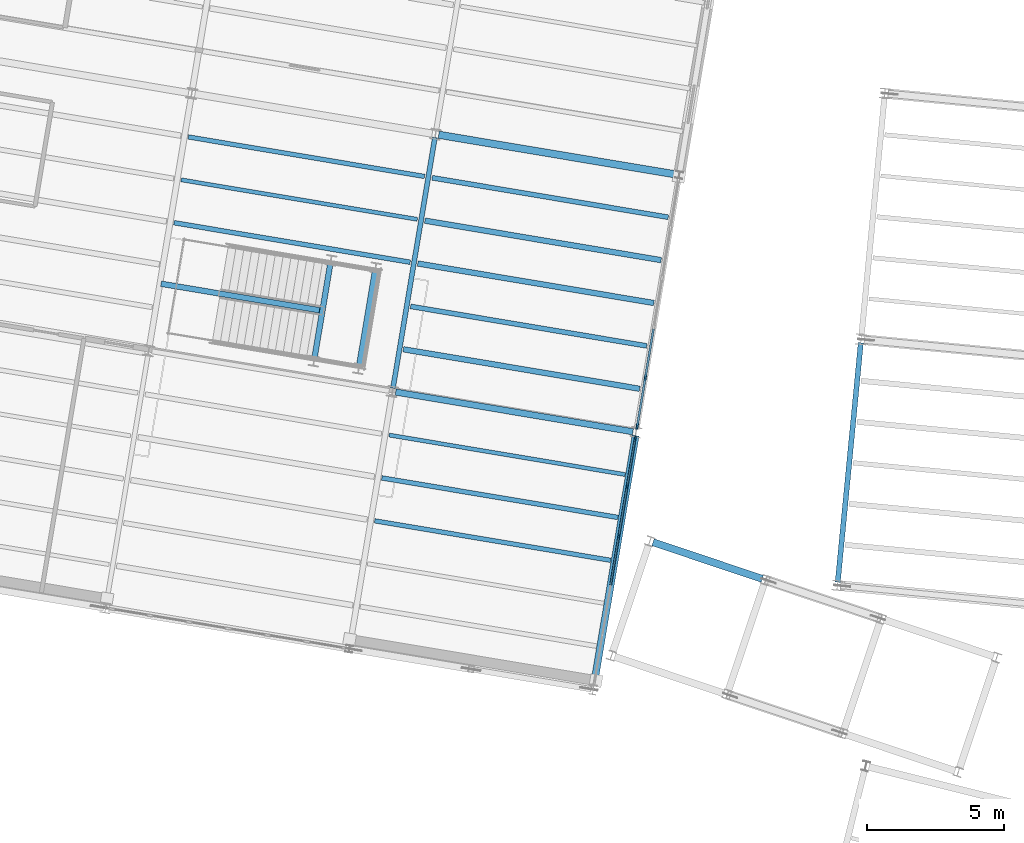
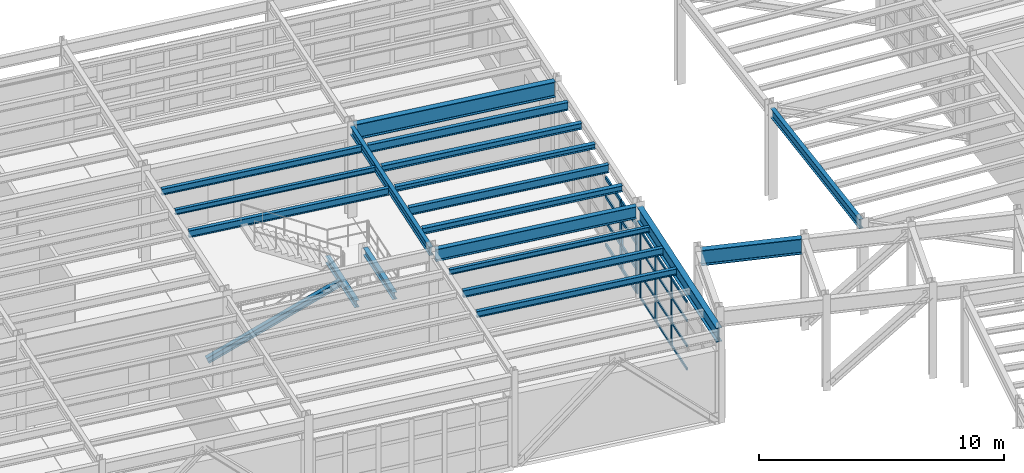
# One storey, part 44 of 109: 26 members, 19 beams, 2 elements without a shape of their own.
"""IFC4 building model written with IfcOpenShell, lengths in metres."""

from ifc_helpers import new_model, si_unit, direction, frame, origin, origin_2d, place, context, subcontext, project, spatial, rectangle, i_section, extrude, material, layer, layer_set, material_profile, profile_set, type_object, element, aggregate, save


model = new_model("IFC4")

# Units and contexts
model_context = context("Model", 3, precision=1e-05, world=origin(), true_north=direction((0.0, 1.0)))
body_context = subcontext(model_context, "Body", "Model", "MODEL_VIEW")
ifc_project = project(units=[si_unit("LENGTHUNIT", "METRE"), si_unit("AREAUNIT", "SQUARE_METRE"), si_unit("VOLUMEUNIT", "CUBIC_METRE"), si_unit("PLANEANGLEUNIT", "RADIAN"), si_unit("MASSUNIT", "GRAM", prefix="KILO")], contexts=[model_context])

# Site, building, storey
site_placement = place(None, origin())
site = spatial("IfcSite", under=ifc_project, at=site_placement, CompositionType="ELEMENT")
building_placement = place(site_placement, origin())
building = spatial("IfcBuilding", under=site, at=building_placement, Name="Vireo Bluff Cable Station", CompositionType="ELEMENT")
storey_placement = place(building_placement, frame((0.0, 0.0, 4.800048828125)))
storey = spatial("IfcBuildingStorey", under=building, at=storey_placement, Name="L01", CompositionType="ELEMENT", Elevation=4.800048828125)

# Beams
ifc_material_1 = material(Name="Steel ASTM A992 Gr. 50", Category="steel")
ifc_material_profile_1 = material_profile(ifc_material_1, i_section(OverallWidth=0.2041015625, OverallDepth=0.35009765625, WebThickness=0.008544921875, FlangeThickness=0.01513671875, FilletRadius=0.010009765625, at=origin_2d()), Name="W14X48")
ifc_profile_set_1 = profile_set([ifc_material_profile_1], Name="Steel ASTM A992 Gr. 50")
beam_type_1 = type_object("IfcBeamType", Name="BM-W14X48", PredefinedType="BEAM", material=ifc_profile_set_1)
for number, where, z_axis, x_axis, name in (
    (1, (39.74072265625, 76.172607421875, 2.02490234375), (0.165077965805, 0.986280520545, 0.0), (-0.986280520545, 0.165077965805, 0.0), "ST-08 L01 landing header beam N"),
    (2, (41.3681640625, 75.900390625, 2.02490234375), (0.165077965805, 0.986280520545, 0.0), (-0.986280520545, 0.165077965805, 0.0), "ST-08 L01 landing header beam F"),
):
    element("IfcBeam", number, at=place(storey_placement, frame(where, z_axis=z_axis, x_axis=x_axis)), inside=storey, type_object=beam_type_1, Name=name, PredefinedType="BEAM", context=body_context, shape_type="SweptSolid", body=[
        extrude(i_section(OverallWidth=0.2041015625, OverallDepth=0.35009765625, WebThickness=0.008544921875, FlangeThickness=0.01513671875, FilletRadius=0.010009765625, at=origin_2d()), origin(), (0.0, 0.0, 1.0), 3.43994140625),
    ])
ifc_material_profile_2 = material_profile(ifc_material_1, i_section(OverallWidth=0.178955078125, OverallDepth=0.408935546875, WebThickness=0.0087890625, FlangeThickness=0.014404296875, FilletRadius=0.010009765625, at=origin_2d()), Name="W16X45")
ifc_profile_set_2 = profile_set([ifc_material_profile_2], Name="Steel ASTM A992 Gr. 50")
beam_type_2 = type_object("IfcBeamType", Name="BM-W16X45", PredefinedType="BEAM", material=ifc_profile_set_2)
beam_1_placement = place(storey_placement, frame((42.593994140625, 75.04638671875, 4.33544921875), z_axis=(0.165044536891, 0.986286115102, 0.0), x_axis=(-0.986286115102, 0.165044536891, 0.0)))
element("IfcBeam", 3, at=beam_1_placement, inside=storey, type_object=beam_type_2, Name="V4 L01 beam 905", PredefinedType="BEAM", context=body_context, shape_type="SweptSolid", body=[
    extrude(i_section(OverallWidth=0.178955078125, OverallDepth=0.408935546875, WebThickness=0.0087890625, FlangeThickness=0.014404296875, FilletRadius=0.010009765625, at=origin_2d()), origin(), (0.0, 0.0, 1.0), 9.260009765625),
])

# Curtain wall, members
ifc_material_2 = material(Name="Anodized Aluminium 6063-T6", Category="aluminium")
ifc_layer_1 = layer(ifc_material_2, 0.159912109375, Name="Anodized Aluminium 6063-T6")
ifc_layer_set_1 = layer_set([ifc_layer_1], Name="Anodized Aluminium 6063-T6")
curtain_wall_type_1 = type_object("IfcCurtainWallType", Name="CW-STICK-1850", PredefinedType="USERDEFINED", material=ifc_layer_set_1)
curtain_wall_1_placement = place(storey_placement, origin())
curtain_wall_1 = element("IfcCurtainWall", 4, at=curtain_wall_1_placement, inside=storey, type_object=curtain_wall_type_1, Name="V4 L01 east curtain wall CW-093", ObjectType="STICK CURTAIN WALL", PredefinedType="USERDEFINED")
ifc_material_profile_3 = material_profile(ifc_material_2, rectangle(XDim=0.074951171875, YDim=0.2099609375, at=origin_2d()), Name="ALU-M-75X210")
ifc_profile_set_3 = profile_set([ifc_material_profile_3], Name="Anodized Aluminium 6063-T6")
member_type_1 = type_object("IfcMemberType", Name="CWM-02", PredefinedType="MULLION", material=ifc_profile_set_3)
member_1_placement = place(storey_placement, frame((51.7841796875, 75.4345703125, 0.0), z_axis=(0.0, 0.0, 1.0), x_axis=(0.986285608353, -0.165047565133, 0.0)))
member_1 = element("IfcMember", 5, at=member_1_placement, type_object=member_type_1, Name="CW-093 mullion 5", PredefinedType="MULLION", context=body_context, shape_type="SweptSolid", body=[
    extrude(rectangle(XDim=0.074951171875, YDim=0.2099609375, at=origin_2d()), origin(), (0.0, 0.0, 1.0), 3.39990234375),
])
member_2_placement = place(storey_placement, frame((51.487060546875, 73.6591796875, 0.0), z_axis=(0.0, 0.0, 1.0), x_axis=(0.986285608353, -0.165047565133, 0.0)))
member_2 = element("IfcMember", 6, at=member_2_placement, type_object=member_type_1, Name="CW-093 mullion 6", PredefinedType="MULLION", context=body_context, shape_type="SweptSolid", body=[
    extrude(rectangle(XDim=0.074951171875, YDim=0.2099609375, at=origin_2d()), origin(), (0.0, 0.0, 1.0), 3.39990234375),
])

ifc_layer_2 = layer(ifc_material_2, 0.159912109375, Name="Anodized Aluminium 6063-T6")
ifc_layer_set_2 = layer_set([ifc_layer_2], Name="Anodized Aluminium 6063-T6")
curtain_wall_type_2 = type_object("IfcCurtainWallType", Name="CW-STICK-1750", PredefinedType="USERDEFINED", material=ifc_layer_set_2)
curtain_wall_2_placement = place(storey_placement, origin())
curtain_wall_2 = element("IfcCurtainWall", 7, at=curtain_wall_2_placement, inside=storey, type_object=curtain_wall_type_2, Name="V4 L01 east curtain wall CW-094", ObjectType="STICK CURTAIN WALL", PredefinedType="USERDEFINED")
ifc_material_profile_4 = material_profile(ifc_material_2, rectangle(XDim=0.06005859375, YDim=0.159912109375, at=origin_2d()), Name="ALU-M-60X160")
ifc_profile_set_4 = profile_set([ifc_material_profile_4], Name="Anodized Aluminium 6063-T6")
member_type_2 = type_object("IfcMemberType", Name="CWM-03", PredefinedType="MULLION", material=ifc_profile_set_4)
member_3_placement = place(storey_placement, frame((51.415771484375, 73.2333984375, 0.0), z_axis=(0.0, 0.0, 1.0), x_axis=(0.986285590571, -0.165047671394, 0.0)))
member_3 = element("IfcMember", 8, at=member_3_placement, type_object=member_type_2, Name="CW-094 mullion 1", PredefinedType="MULLION", context=body_context, shape_type="SweptSolid", body=[
    extrude(rectangle(XDim=0.06005859375, YDim=0.159912109375, at=origin_2d()), origin(), (0.0, 0.0, 1.0), 3.39990234375),
])
member_4_placement = place(storey_placement, frame((51.119140625, 71.461181640625, 0.0), z_axis=(0.0, 0.0, 1.0), x_axis=(0.986285590571, -0.165047671394, 0.0)))
member_4 = element("IfcMember", 9, at=member_4_placement, type_object=member_type_2, Name="CW-094 mullion 2", PredefinedType="MULLION", context=body_context, shape_type="SweptSolid", body=[
    extrude(rectangle(XDim=0.06005859375, YDim=0.159912109375, at=origin_2d()), origin(), (0.0, 0.0, 1.0), 3.39990234375),
])
member_5_placement = place(storey_placement, frame((50.817626953125, 69.659423828125, 0.0), z_axis=(0.0, 0.0, 1.0), x_axis=(0.986285590571, -0.165047671394, 0.0)))
member_5 = element("IfcMember", 10, at=member_5_placement, type_object=member_type_2, Name="CW-094 mullion 3", PredefinedType="MULLION", context=body_context, shape_type="SweptSolid", body=[
    extrude(rectangle(XDim=0.06005859375, YDim=0.159912109375, at=origin_2d()), origin(), (0.0, 0.0, 1.0), 3.39990234375),
])

# Member
ifc_material_profile_5 = material_profile(ifc_material_2, rectangle(XDim=0.074951171875, YDim=0.159912109375, at=origin_2d()), Name="ALU-T-75X160")
ifc_profile_set_5 = profile_set([ifc_material_profile_5], Name="Anodized Aluminium 6063-T6")
member_type_3 = type_object("IfcMemberType", Name="CWT-02", PredefinedType="USERDEFINED", material=ifc_profile_set_5)
member_6_placement = place(storey_placement, frame((52.081298828125, 77.2099609375, 0.037353515625), z_axis=(-0.165095203102, -0.98627763531, 0.0), x_axis=(0.98627763531, -0.165095203102, 0.0)))
member_6 = element("IfcMember", 11, at=member_6_placement, type_object=member_type_3, Name="CW-093 transom 4.1", ObjectType="TRANSOM", PredefinedType="USERDEFINED", context=body_context, shape_type="SweptSolid", body=[
    extrude(rectangle(XDim=0.074951171875, YDim=0.159912109375, at=origin_2d()), origin(), (0.0, 0.0, 1.0), 1.7626953125),
])

member_7_placement = place(storey_placement, frame((52.081298828125, 77.2099609375, 1.18994140625), z_axis=(-0.165095203102, -0.98627763531, 0.0), x_axis=(0.98627763531, -0.165095203102, 0.0)))
member_7 = element("IfcMember", 12, at=member_7_placement, type_object=member_type_3, Name="CW-093 transom 4.2", ObjectType="TRANSOM", PredefinedType="USERDEFINED", context=body_context, shape_type="SweptSolid", body=[
    extrude(rectangle(XDim=0.074951171875, YDim=0.159912109375, at=origin_2d()), origin(), (0.0, 0.0, 1.0), 1.7626953125),
])

member_8_placement = place(storey_placement, frame((52.081298828125, 77.2099609375, 2.447998046875), z_axis=(-0.165095203102, -0.98627763531, 0.0), x_axis=(0.98627763531, -0.165095203102, 0.0)))
member_8 = element("IfcMember", 13, at=member_8_placement, type_object=member_type_3, Name="CW-093 transom 4.3", ObjectType="TRANSOM", PredefinedType="USERDEFINED", context=body_context, shape_type="SweptSolid", body=[
    extrude(rectangle(XDim=0.074951171875, YDim=0.159912109375, at=origin_2d()), origin(), (0.0, 0.0, 1.0), 1.7626953125),
])

member_9_placement = place(storey_placement, frame((52.081298828125, 77.2099609375, 3.362548828125), z_axis=(-0.165095203102, -0.98627763531, 0.0), x_axis=(0.98627763531, -0.165095203102, 0.0)))
member_9 = element("IfcMember", 14, at=member_9_placement, type_object=member_type_3, Name="CW-093 transom 4.4", ObjectType="TRANSOM", PredefinedType="USERDEFINED", context=body_context, shape_type="SweptSolid", body=[
    extrude(rectangle(XDim=0.074951171875, YDim=0.159912109375, at=origin_2d()), origin(), (0.0, 0.0, 1.0), 1.7626953125),
])

member_10_placement = place(storey_placement, frame((51.77783203125, 75.3974609375, 0.037353515625), z_axis=(-0.165018606581, -0.986290453914, 0.0), x_axis=(0.986290453914, -0.165018606581, 0.0)))
member_10 = element("IfcMember", 15, at=member_10_placement, type_object=member_type_3, Name="CW-093 transom 5.1", ObjectType="TRANSOM", PredefinedType="USERDEFINED", context=body_context, shape_type="SweptSolid", body=[
    extrude(rectangle(XDim=0.074951171875, YDim=0.159912109375, at=origin_2d()), origin(), (0.0, 0.0, 1.0), 1.72509765625),
])

member_11_placement = place(storey_placement, frame((51.77783203125, 75.3974609375, 1.18994140625), z_axis=(-0.165018606581, -0.986290453914, 0.0), x_axis=(0.986290453914, -0.165018606581, 0.0)))
member_11 = element("IfcMember", 16, at=member_11_placement, type_object=member_type_3, Name="CW-093 transom 5.2", ObjectType="TRANSOM", PredefinedType="USERDEFINED", context=body_context, shape_type="SweptSolid", body=[
    extrude(rectangle(XDim=0.074951171875, YDim=0.159912109375, at=origin_2d()), origin(), (0.0, 0.0, 1.0), 1.72509765625),
])

member_12_placement = place(storey_placement, frame((51.77783203125, 75.3974609375, 2.447998046875), z_axis=(-0.165018606581, -0.986290453914, 0.0), x_axis=(0.986290453914, -0.165018606581, 0.0)))
member_12 = element("IfcMember", 17, at=member_12_placement, type_object=member_type_3, Name="CW-093 transom 5.3", ObjectType="TRANSOM", PredefinedType="USERDEFINED", context=body_context, shape_type="SweptSolid", body=[
    extrude(rectangle(XDim=0.074951171875, YDim=0.159912109375, at=origin_2d()), origin(), (0.0, 0.0, 1.0), 1.72509765625),
])

member_13_placement = place(storey_placement, frame((51.77783203125, 75.3974609375, 3.362548828125), z_axis=(-0.165018606581, -0.986290453914, 0.0), x_axis=(0.986290453914, -0.165018606581, 0.0)))
member_13 = element("IfcMember", 18, at=member_13_placement, type_object=member_type_3, Name="CW-093 transom 5.4", ObjectType="TRANSOM", PredefinedType="USERDEFINED", context=body_context, shape_type="SweptSolid", body=[
    extrude(rectangle(XDim=0.074951171875, YDim=0.159912109375, at=origin_2d()), origin(), (0.0, 0.0, 1.0), 1.72509765625),
])

aggregate(curtain_wall_1, [member_1, member_2, member_6, member_7, member_8, member_9, member_10, member_11, member_12, member_13])

ifc_material_profile_6 = material_profile(ifc_material_2, rectangle(XDim=0.06005859375, YDim=0.1201171875, at=origin_2d()), Name="ALU-T-60X120")
ifc_profile_set_6 = profile_set([ifc_material_profile_6], Name="Anodized Aluminium 6063-T6")
member_type_4 = type_object("IfcMemberType", Name="CWT-03", PredefinedType="USERDEFINED", material=ifc_profile_set_6)
member_14_placement = place(storey_placement, frame((51.410888671875, 73.203857421875, 0.030029296875), z_axis=(-0.16501436872, -0.986291162951, 0.0), x_axis=(0.986291162951, -0.16501436872, 0.0)))
member_14 = element("IfcMember", 19, at=member_14_placement, type_object=member_type_4, Name="CW-094 transom 1.1", ObjectType="TRANSOM", PredefinedType="USERDEFINED", context=body_context, shape_type="SweptSolid", body=[
    extrude(rectangle(XDim=0.06005859375, YDim=0.1201171875, at=origin_2d()), origin(), (0.0, 0.0, 1.0), 1.737060546875),
])

member_15_placement = place(storey_placement, frame((51.410888671875, 73.203857421875, 1.18994140625), z_axis=(-0.16501436872, -0.986291162951, 0.0), x_axis=(0.986291162951, -0.16501436872, 0.0)))
member_15 = element("IfcMember", 20, at=member_15_placement, type_object=member_type_4, Name="CW-094 transom 1.2", ObjectType="TRANSOM", PredefinedType="USERDEFINED", context=body_context, shape_type="SweptSolid", body=[
    extrude(rectangle(XDim=0.06005859375, YDim=0.1201171875, at=origin_2d()), origin(), (0.0, 0.0, 1.0), 1.737060546875),
])

member_16_placement = place(storey_placement, frame((51.410888671875, 73.203857421875, 2.447998046875), z_axis=(-0.16501436872, -0.986291162951, 0.0), x_axis=(0.986291162951, -0.16501436872, 0.0)))
member_16 = element("IfcMember", 21, at=member_16_placement, type_object=member_type_4, Name="CW-094 transom 1.3", ObjectType="TRANSOM", PredefinedType="USERDEFINED", context=body_context, shape_type="SweptSolid", body=[
    extrude(rectangle(XDim=0.06005859375, YDim=0.1201171875, at=origin_2d()), origin(), (0.0, 0.0, 1.0), 1.737060546875),
])

member_17_placement = place(storey_placement, frame((51.410888671875, 73.203857421875, 3.369873046875), z_axis=(-0.16501436872, -0.986291162951, 0.0), x_axis=(0.986291162951, -0.16501436872, 0.0)))
member_17 = element("IfcMember", 22, at=member_17_placement, type_object=member_type_4, Name="CW-094 transom 1.4", ObjectType="TRANSOM", PredefinedType="USERDEFINED", context=body_context, shape_type="SweptSolid", body=[
    extrude(rectangle(XDim=0.06005859375, YDim=0.1201171875, at=origin_2d()), origin(), (0.0, 0.0, 1.0), 1.737060546875),
])

member_18_placement = place(storey_placement, frame((51.1142578125, 71.431640625, 0.030029296875), z_axis=(-0.164981536378, -0.986296655502, 0.0), x_axis=(0.986296655502, -0.164981536378, 0.0)))
member_18 = element("IfcMember", 23, at=member_18_placement, type_object=member_type_4, Name="CW-094 transom 2.1", ObjectType="TRANSOM", PredefinedType="USERDEFINED", context=body_context, shape_type="SweptSolid", body=[
    extrude(rectangle(XDim=0.06005859375, YDim=0.1201171875, at=origin_2d()), origin(), (0.0, 0.0, 1.0), 1.766845703125),
])

member_19_placement = place(storey_placement, frame((51.1142578125, 71.431640625, 1.18994140625), z_axis=(-0.164981536378, -0.986296655502, 0.0), x_axis=(0.986296655502, -0.164981536378, 0.0)))
member_19 = element("IfcMember", 24, at=member_19_placement, type_object=member_type_4, Name="CW-094 transom 2.2", ObjectType="TRANSOM", PredefinedType="USERDEFINED", context=body_context, shape_type="SweptSolid", body=[
    extrude(rectangle(XDim=0.06005859375, YDim=0.1201171875, at=origin_2d()), origin(), (0.0, 0.0, 1.0), 1.766845703125),
])

member_20_placement = place(storey_placement, frame((51.1142578125, 71.431640625, 2.447998046875), z_axis=(-0.164981536378, -0.986296655502, 0.0), x_axis=(0.986296655502, -0.164981536378, 0.0)))
member_20 = element("IfcMember", 25, at=member_20_placement, type_object=member_type_4, Name="CW-094 transom 2.3", ObjectType="TRANSOM", PredefinedType="USERDEFINED", context=body_context, shape_type="SweptSolid", body=[
    extrude(rectangle(XDim=0.06005859375, YDim=0.1201171875, at=origin_2d()), origin(), (0.0, 0.0, 1.0), 1.766845703125),
])

member_21_placement = place(storey_placement, frame((51.1142578125, 71.431640625, 3.369873046875), z_axis=(-0.164981536378, -0.986296655502, 0.0), x_axis=(0.986296655502, -0.164981536378, 0.0)))
member_21 = element("IfcMember", 26, at=member_21_placement, type_object=member_type_4, Name="CW-094 transom 2.4", ObjectType="TRANSOM", PredefinedType="USERDEFINED", context=body_context, shape_type="SweptSolid", body=[
    extrude(rectangle(XDim=0.06005859375, YDim=0.1201171875, at=origin_2d()), origin(), (0.0, 0.0, 1.0), 1.766845703125),
])

member_22_placement = place(storey_placement, frame((50.812744140625, 69.6298828125, 0.030029296875), z_axis=(-0.164981536378, -0.986296655502, 0.0), x_axis=(0.986296655502, -0.164981536378, 0.0)))
member_22 = element("IfcMember", 27, at=member_22_placement, type_object=member_type_4, Name="CW-094 transom 3.1", ObjectType="TRANSOM", PredefinedType="USERDEFINED", context=body_context, shape_type="SweptSolid", body=[
    extrude(rectangle(XDim=0.06005859375, YDim=0.1201171875, at=origin_2d()), origin(), (0.0, 0.0, 1.0), 1.766845703125),
])

member_23_placement = place(storey_placement, frame((50.812744140625, 69.6298828125, 1.18994140625), z_axis=(-0.164981536378, -0.986296655502, 0.0), x_axis=(0.986296655502, -0.164981536378, 0.0)))
member_23 = element("IfcMember", 28, at=member_23_placement, type_object=member_type_4, Name="CW-094 transom 3.2", ObjectType="TRANSOM", PredefinedType="USERDEFINED", context=body_context, shape_type="SweptSolid", body=[
    extrude(rectangle(XDim=0.06005859375, YDim=0.1201171875, at=origin_2d()), origin(), (0.0, 0.0, 1.0), 1.766845703125),
])

member_24_placement = place(storey_placement, frame((50.812744140625, 69.6298828125, 2.447998046875), z_axis=(-0.164981536378, -0.986296655502, 0.0), x_axis=(0.986296655502, -0.164981536378, 0.0)))
member_24 = element("IfcMember", 29, at=member_24_placement, type_object=member_type_4, Name="CW-094 transom 3.3", ObjectType="TRANSOM", PredefinedType="USERDEFINED", context=body_context, shape_type="SweptSolid", body=[
    extrude(rectangle(XDim=0.06005859375, YDim=0.1201171875, at=origin_2d()), origin(), (0.0, 0.0, 1.0), 1.766845703125),
])

member_25_placement = place(storey_placement, frame((50.812744140625, 69.6298828125, 3.369873046875), z_axis=(-0.164981536378, -0.986296655502, 0.0), x_axis=(0.986296655502, -0.164981536378, 0.0)))
member_25 = element("IfcMember", 30, at=member_25_placement, type_object=member_type_4, Name="CW-094 transom 3.4", ObjectType="TRANSOM", PredefinedType="USERDEFINED", context=body_context, shape_type="SweptSolid", body=[
    extrude(rectangle(XDim=0.06005859375, YDim=0.1201171875, at=origin_2d()), origin(), (0.0, 0.0, 1.0), 1.766845703125),
])

aggregate(curtain_wall_2, [member_3, member_4, member_5, member_14, member_15, member_16, member_17, member_18, member_19, member_20, member_21, member_22, member_23, member_24, member_25])

# Beams
ifc_material_profile_7 = material_profile(ifc_material_1, i_section(OverallWidth=0.26708984375, OverallDepth=0.77001953125, WebThickness=0.015625, FlangeThickness=0.025390625, FilletRadius=0.01611328125, at=origin_2d()), Name="W30X132")
ifc_profile_set_7 = profile_set([ifc_material_profile_7], Name="Steel ASTM A992 Gr. 50")
beam_type_3 = type_object("IfcBeamType", Name="EXTGIR-W30X132", PredefinedType="USERDEFINED", material=ifc_profile_set_7)
beam_2_placement = place(storey_placement, frame((52.062744140625, 69.4404296875, 4.159912109375), z_axis=(0.94810627193, -0.317953608452, 0.0), x_axis=(0.317953608452, 0.94810627193, 0.0)))
element("IfcBeam", 31, at=beam_2_placement, inside=storey, type_object=beam_type_3, Name="CABIN-TRANSFER skybridge floor girder 1R", ObjectType="GIRDER", PredefinedType="USERDEFINED", context=body_context, shape_type="SweptSolid", body=[
    extrude(i_section(OverallWidth=0.26708984375, OverallDepth=0.77001953125, WebThickness=0.015625, FlangeThickness=0.025390625, FilletRadius=0.01611328125, at=origin_2d()), origin(), (0.0, 0.0, 1.0), 4.2001953125),
])
ifc_material_profile_8 = material_profile(ifc_material_1, i_section(OverallWidth=0.22802734375, OverallDepth=0.60693359375, WebThickness=0.01123046875, FlangeThickness=0.017333984375, FilletRadius=0.012939453125, at=origin_2d()), Name="W24X76")
ifc_profile_set_8 = profile_set([ifc_material_profile_8], Name="Steel ASTM A992 Gr. 50")
beam_type_4 = type_object("IfcBeamType", Name="GIR-W24X76", PredefinedType="USERDEFINED", material=ifc_profile_set_8)
beam_3_placement = place(storey_placement, frame((42.692626953125, 74.908203125, 4.236572265625), z_axis=(0.986285998922, -0.165045231163, 0.0), x_axis=(0.165045231163, 0.986285998922, 0.0)))
element("IfcBeam", 32, at=beam_3_placement, inside=storey, type_object=beam_type_4, Name="V4 L01 girder 881", ObjectType="GIRDER", PredefinedType="USERDEFINED", context=body_context, shape_type="SweptSolid", body=[
    extrude(i_section(OverallWidth=0.22802734375, OverallDepth=0.60693359375, WebThickness=0.01123046875, FlangeThickness=0.017333984375, FilletRadius=0.012939453125, at=origin_2d()), origin(), (0.0, 0.0, 1.0), 8.760009765625),
])
ifc_material_profile_9 = material_profile(ifc_material_1, i_section(OverallWidth=0.26708984375, OverallDepth=0.77001953125, WebThickness=0.015625, FlangeThickness=0.025390625, FilletRadius=0.01611328125, at=origin_2d()), Name="W30X132")
ifc_profile_set_9 = profile_set([ifc_material_profile_9], Name="Steel ASTM A992 Gr. 50")
beam_type_5 = type_object("IfcBeamType", Name="GIR-W30X132", PredefinedType="USERDEFINED", material=ifc_profile_set_9)
beam_4_placement = place(storey_placement, frame((44.260498046875, 84.27783203125, 4.155029296875), z_axis=(0.986285998922, -0.165045231163, 0.0), x_axis=(0.165045231163, 0.986285998922, 0.0)))
element("IfcBeam", 33, at=beam_4_placement, inside=storey, type_object=beam_type_5, Name="V4 L01 girder 886", ObjectType="GIRDER", PredefinedType="USERDEFINED", context=body_context, shape_type="SweptSolid", body=[
    extrude(i_section(OverallWidth=0.26708984375, OverallDepth=0.77001953125, WebThickness=0.015625, FlangeThickness=0.025390625, FilletRadius=0.01611328125, at=origin_2d()), origin(), (0.0, 0.0, 1.0), 8.760009765625),
])
ifc_material_profile_10 = material_profile(ifc_material_1, i_section(OverallWidth=0.14599609375, OverallDepth=0.259033203125, WebThickness=0.006103515625, FlangeThickness=0.009033203125, FilletRadius=0.009033203125, at=origin_2d()), Name="W10X22")
ifc_profile_set_10 = profile_set([ifc_material_profile_10], Name="Steel ASTM A992 Gr. 50")
beam_type_6 = type_object("IfcBeamType", Name="JST-W10X22", PredefinedType="JOIST", material=ifc_profile_set_10)
beam_5_placement = place(storey_placement, frame((34.881103515625, 82.63671875, 4.410400390625), z_axis=(0.98628550168, -0.165048202583, 0.0), x_axis=(0.165048202583, 0.98628550168, 0.0)))
element("IfcBeam", 34, at=beam_5_placement, inside=storey, type_object=beam_type_6, Name="V4 L01 composite joist 956", PredefinedType="JOIST", context=body_context, shape_type="SweptSolid", body=[
    extrude(i_section(OverallWidth=0.14599609375, OverallDepth=0.259033203125, WebThickness=0.006103515625, FlangeThickness=0.009033203125, FilletRadius=0.009033203125, at=origin_2d()), origin(), (0.0, 0.0, 1.0), 8.719970703125),
])
beam_6_placement = place(storey_placement, frame((42.450927734375, 73.34326171875, 4.410400390625), z_axis=(0.986286264339, -0.165043645063, 0.0), x_axis=(0.165043645063, 0.986286264339, 0.0)))
element("IfcBeam", 35, at=beam_6_placement, inside=storey, type_object=beam_type_6, Name="V4 L01 composite joist 967", PredefinedType="JOIST", context=body_context, shape_type="SweptSolid", body=[
    extrude(i_section(OverallWidth=0.14599609375, OverallDepth=0.259033203125, WebThickness=0.006103515625, FlangeThickness=0.009033203125, FilletRadius=0.009033203125, at=origin_2d()), origin(), (0.0, 0.0, 1.0), 8.72021484375),
])
ifc_material_profile_11 = material_profile(ifc_material_1, i_section(OverallWidth=0.201904296875, OverallDepth=0.2470703125, WebThickness=0.00732421875, FlangeThickness=0.010986328125, FilletRadius=0.009033203125, at=origin_2d()), Name="W10X33")
ifc_profile_set_11 = profile_set([ifc_material_profile_11], Name="Steel ASTM A992 Gr. 50")
beam_type_7 = type_object("IfcBeamType", Name="JST-W10X33", PredefinedType="JOIST", material=ifc_profile_set_11)
beam_7_placement = place(storey_placement, frame((43.496337890625, 79.58984375, 4.41650390625), z_axis=(0.98628550168, -0.165048202583, 0.0), x_axis=(0.165048202583, 0.98628550168, 0.0)))
element("IfcBeam", 36, at=beam_7_placement, inside=storey, type_object=beam_type_7, Name="V4 L01 composite joist 970", PredefinedType="JOIST", context=body_context, shape_type="SweptSolid", body=[
    extrude(i_section(OverallWidth=0.201904296875, OverallDepth=0.2470703125, WebThickness=0.00732421875, FlangeThickness=0.010986328125, FilletRadius=0.009033203125, at=origin_2d()), origin(), (0.0, 0.0, 1.0), 8.719970703125),
])
ifc_material_profile_12 = material_profile(ifc_material_1, i_section(OverallWidth=0.1650390625, OverallDepth=0.31005859375, WebThickness=0.005859375, FlangeThickness=0.009765625, FilletRadius=0.010009765625, at=origin_2d()), Name="W12X26")
ifc_profile_set_12 = profile_set([ifc_material_profile_12], Name="Steel ASTM A992 Gr. 50")
beam_type_8 = type_object("IfcBeamType", Name="JST-W12X26", PredefinedType="JOIST", material=ifc_profile_set_12)
beam_8_placement = place(storey_placement, frame((35.142333984375, 84.198486328125, 4.385009765625), z_axis=(0.98628550168, -0.165048202583, 0.0), x_axis=(0.165048202583, 0.98628550168, 0.0)))
element("IfcBeam", 37, at=beam_8_placement, inside=storey, type_object=beam_type_8, Name="V4 L01 composite joist 957", PredefinedType="JOIST", context=body_context, shape_type="SweptSolid", body=[
    extrude(i_section(OverallWidth=0.1650390625, OverallDepth=0.31005859375, WebThickness=0.005859375, FlangeThickness=0.009765625, FilletRadius=0.010009765625, at=origin_2d()), origin(), (0.0, 0.0, 1.0), 8.719970703125),
])
beam_9_placement = place(storey_placement, frame((41.92822265625, 70.219970703125, 4.385009765625), z_axis=(0.986286264339, -0.165043645063, 0.0), x_axis=(0.165043645063, 0.986286264339, 0.0)))
element("IfcBeam", 38, at=beam_9_placement, inside=storey, type_object=beam_type_8, Name="V4 L01 composite joist 965", PredefinedType="JOIST", context=body_context, shape_type="SweptSolid", body=[
    extrude(i_section(OverallWidth=0.1650390625, OverallDepth=0.31005859375, WebThickness=0.005859375, FlangeThickness=0.009765625, FilletRadius=0.010009765625, at=origin_2d()), origin(), (0.0, 0.0, 1.0), 8.72021484375),
])
ifc_material_profile_13 = material_profile(ifc_material_1, i_section(OverallWidth=0.202880859375, OverallDepth=0.302978515625, WebThickness=0.007568359375, FlangeThickness=0.01318359375, FilletRadius=0.010009765625, at=origin_2d()), Name="W12X40")
ifc_profile_set_13 = profile_set([ifc_material_profile_13], Name="Steel ASTM A992 Gr. 50")
beam_type_9 = type_object("IfcBeamType", Name="JST-W12X40", PredefinedType="JOIST", material=ifc_profile_set_13)
for number, where, z_axis, x_axis, name in (
    (39, (42.9736328125, 76.466552734375, 4.388427734375), (0.98628550168, -0.165048202583, 0.0), (0.165048202583, 0.98628550168, 0.0), "V4 L01 composite joist 968"),
    (40, (43.757568359375, 81.1513671875, 4.388427734375), (0.98628550168, -0.165048202583, 0.0), (0.165048202583, 0.98628550168, 0.0), "V4 L01 composite joist 971"),
):
    element("IfcBeam", number, at=place(storey_placement, frame(where, z_axis=z_axis, x_axis=x_axis)), inside=storey, type_object=beam_type_9, Name=name, PredefinedType="JOIST", context=body_context, shape_type="SweptSolid", body=[
        extrude(i_section(OverallWidth=0.202880859375, OverallDepth=0.302978515625, WebThickness=0.007568359375, FlangeThickness=0.01318359375, FilletRadius=0.010009765625, at=origin_2d()), origin(), (0.0, 0.0, 1.0), 8.719970703125),
    ])
ifc_material_profile_14 = material_profile(ifc_material_1, i_section(OverallWidth=0.1708984375, OverallDepth=0.35107421875, WebThickness=0.0068359375, FlangeThickness=0.009765625, FilletRadius=0.010009765625, at=origin_2d()), Name="W14X30")
ifc_profile_set_14 = profile_set([ifc_material_profile_14], Name="Steel ASTM A992 Gr. 50")
beam_type_10 = type_object("IfcBeamType", Name="JST-W14X30", PredefinedType="JOIST", material=ifc_profile_set_14)
beam_10_placement = place(storey_placement, frame((34.61962890625, 81.0751953125, 4.364501953125), z_axis=(0.986286264339, -0.165043645063, 0.0), x_axis=(0.165043645063, 0.986286264339, 0.0)))
element("IfcBeam", 41, at=beam_10_placement, inside=storey, type_object=beam_type_10, Name="V4 L01 composite joist 955", PredefinedType="JOIST", context=body_context, shape_type="SweptSolid", body=[
    extrude(i_section(OverallWidth=0.1708984375, OverallDepth=0.35107421875, WebThickness=0.0068359375, FlangeThickness=0.009765625, FilletRadius=0.010009765625, at=origin_2d()), origin(), (0.0, 0.0, 1.0), 8.72021484375),
])
beam_11_placement = place(storey_placement, frame((42.189697265625, 71.78173828125, 4.364501953125), z_axis=(0.98628550168, -0.165048202583, 0.0), x_axis=(0.165048202583, 0.98628550168, 0.0)))
element("IfcBeam", 42, at=beam_11_placement, inside=storey, type_object=beam_type_10, Name="V4 L01 composite joist 966", PredefinedType="JOIST", context=body_context, shape_type="SweptSolid", body=[
    extrude(i_section(OverallWidth=0.1708984375, OverallDepth=0.35107421875, WebThickness=0.0068359375, FlangeThickness=0.009765625, FilletRadius=0.010009765625, at=origin_2d()), origin(), (0.0, 0.0, 1.0), 8.719970703125),
])
ifc_material_profile_15 = material_profile(ifc_material_1, i_section(OverallWidth=0.177978515625, OverallDepth=0.404052734375, WebThickness=0.007568359375, FlangeThickness=0.010986328125, FilletRadius=0.010009765625, at=origin_2d()), Name="W16X36")
ifc_profile_set_15 = profile_set([ifc_material_profile_15], Name="Steel ASTM A992 Gr. 50")
beam_type_11 = type_object("IfcBeamType", Name="JST-W16X36", PredefinedType="JOIST", material=ifc_profile_set_15)
beam_12_placement = place(storey_placement, frame((43.23486328125, 78.028076171875, 4.337890625), z_axis=(0.986286264339, -0.165043645063, 0.0), x_axis=(0.165043645063, 0.986286264339, 0.0)))
element("IfcBeam", 43, at=beam_12_placement, inside=storey, type_object=beam_type_11, Name="V4 L01 composite joist 969", PredefinedType="JOIST", context=body_context, shape_type="SweptSolid", body=[
    extrude(i_section(OverallWidth=0.177978515625, OverallDepth=0.404052734375, WebThickness=0.007568359375, FlangeThickness=0.010986328125, FilletRadius=0.010009765625, at=origin_2d()), origin(), (0.0, 0.0, 1.0), 8.72021484375),
])
beam_13_placement = place(storey_placement, frame((44.01904296875, 82.712890625, 4.337890625), z_axis=(0.98628550168, -0.165048202583, 0.0), x_axis=(0.165048202583, 0.98628550168, 0.0)))
element("IfcBeam", 44, at=beam_13_placement, inside=storey, type_object=beam_type_11, Name="V4 L01 composite joist 972", PredefinedType="JOIST", context=body_context, shape_type="SweptSolid", body=[
    extrude(i_section(OverallWidth=0.177978515625, OverallDepth=0.404052734375, WebThickness=0.007568359375, FlangeThickness=0.010986328125, FilletRadius=0.010009765625, at=origin_2d()), origin(), (0.0, 0.0, 1.0), 8.719970703125),
])
ifc_material_profile_16 = material_profile(ifc_material_1, i_section(OverallWidth=0.19091796875, OverallDepth=0.45703125, WebThickness=0.009033203125, FlangeThickness=0.014404296875, FilletRadius=0.011962890625, at=origin_2d()), Name="W18X50")
ifc_profile_set_16 = profile_set([ifc_material_profile_16], Name="Steel ASTM A992 Gr. 50")
beam_type_12 = type_object("IfcBeamType", Name="SPN-W18X50", PredefinedType="SPANDREL", material=ifc_profile_set_16)
beam_14_placement = place(storey_placement, frame((58.791015625, 67.98583984375, 4.3115234375), z_axis=(0.095844105487, 0.995396356957, 0.0), x_axis=(-0.995396356957, 0.095844105487, 0.0)))
element("IfcBeam", 45, at=beam_14_placement, inside=storey, type_object=beam_type_12, Name="V3 L01 spandrel 700", PredefinedType="SPANDREL", context=body_context, shape_type="SweptSolid", body=[
    extrude(i_section(OverallWidth=0.19091796875, OverallDepth=0.45703125, WebThickness=0.009033203125, FlangeThickness=0.014404296875, FilletRadius=0.011962890625, at=origin_2d()), origin(), (0.0, 0.0, 1.0), 8.760009765625),
])
ifc_material_profile_17 = material_profile(ifc_material_1, i_section(OverallWidth=0.257080078125, OverallDepth=0.693115234375, WebThickness=0.014404296875, FlangeThickness=0.023681640625, FilletRadius=0.014892578125, at=origin_2d()), Name="W27X114")
ifc_profile_set_17 = profile_set([ifc_material_profile_17], Name="Steel ASTM A992 Gr. 50")
beam_type_13 = type_object("IfcBeamType", Name="SPN-W27X114", PredefinedType="SPANDREL", material=ifc_profile_set_17)
beam_15_placement = place(storey_placement, frame((49.902587890625, 64.191162109375, 4.193359375), z_axis=(0.165044536891, 0.986286115102, 0.0), x_axis=(-0.986286115102, 0.165044536891, 0.0)))
element("IfcBeam", 46, at=beam_15_placement, inside=storey, type_object=beam_type_13, Name="V4 L01 spandrel 907", PredefinedType="SPANDREL", context=body_context, shape_type="SweptSolid", body=[
    extrude(i_section(OverallWidth=0.257080078125, OverallDepth=0.693115234375, WebThickness=0.014404296875, FlangeThickness=0.023681640625, FilletRadius=0.014892578125, at=origin_2d()), origin(), (0.0, 0.0, 1.0), 9.260009765625),
])

# Member
ifc_material_profile_18 = material_profile(ifc_material_1, i_section(OverallWidth=0.202880859375, OverallDepth=0.302978515625, WebThickness=0.007568359375, FlangeThickness=0.01318359375, FilletRadius=0.010009765625, at=origin_2d()), Name="W12X40")
ifc_profile_set_18 = profile_set([ifc_material_profile_18], Name="Steel ASTM A992 Gr. 50")
member_type_5 = type_object("IfcMemberType", Name="STRINGER-02", PredefinedType="STRINGER", material=ifc_profile_set_18)
member_26_placement = place(storey_placement, frame((34.20556640625, 78.843017578125, -0.43994140625), z_axis=(0.90890108376, -0.152105267476, 0.388281866104), x_axis=(0.165055405239, 0.986284296337, 0.0)))
element("IfcMember", 47, at=member_26_placement, inside=storey, type_object=member_type_5, Name="ST-08 L01 steel stair stringer", PredefinedType="STRINGER", context=body_context, shape_type="SweptSolid", body=[
    extrude(i_section(OverallWidth=0.202880859375, OverallDepth=0.302978515625, WebThickness=0.007568359375, FlangeThickness=0.01318359375, FilletRadius=0.010009765625, at=origin_2d()), origin(), (0.0, 0.0, 1.0), 6.34814453125),
])

save(model, "model.ifc")
